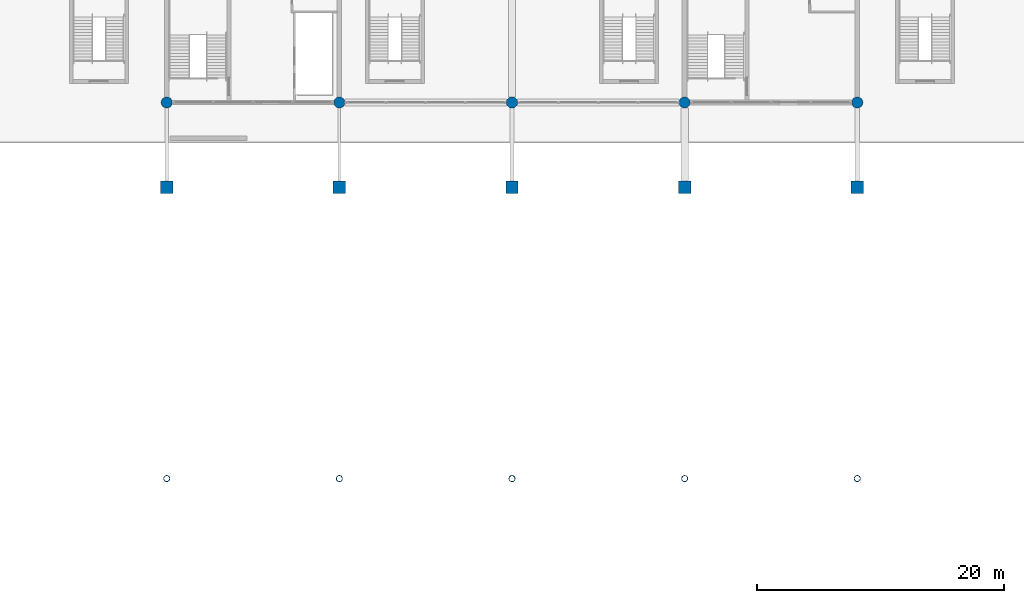
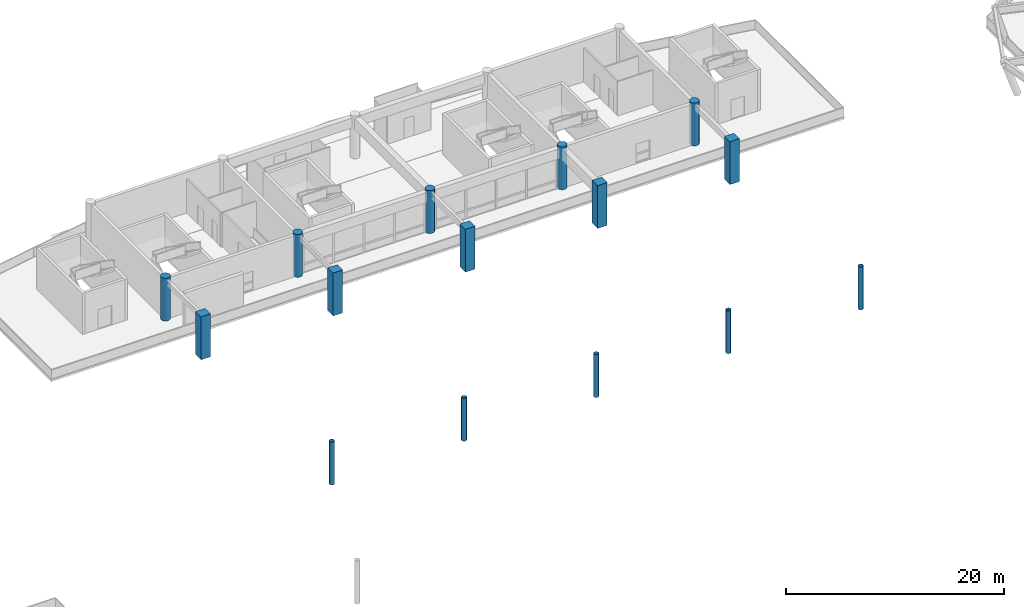
# One storey, part 15 of 91: 15 columns.
"""IFC4 building model written with IfcOpenShell, lengths in metres."""

import ifcopenshell
import ifcopenshell.guid

model = None  # the IFC model being written
_history = None  # IfcOwnerHistory: only IFC2X3 demands one
_inside = {}  # id of a spatial element -> (the spatial element, [elements in it])
_under = {}  # id of a project, library or spatial element -> (it, [spatial elements below it])
_declared = {}  # id of a project -> (the project, [libraries it declares])
_typed = {}  # id of a type object -> (the type object, [elements of that type])
_made_of = {}  # id of a material, layer set ... -> (it, [elements and type objects made of it])


def new_model(schema):
    """Start an empty IFC model of exactly this schema.

    Asked for "IFC4X3", IfcOpenShell would pick the latest addendum, in which some entities
    have other attributes; the version numbers below select the first issue.
    IFC2X3 requires an IfcOwnerHistory on every rooted entity: one is made here for all.
    """
    global model, _history
    if schema == "IFC4X3":
        model = ifcopenshell.file(schema_version=(4, 3, 0, 0))
    else:
        model = ifcopenshell.file(schema=schema)
    _inside.clear()
    _under.clear()
    _declared.clear()
    _typed.clear()
    _made_of.clear()
    _history = None
    if model.schema == "IFC2X3":
        org = make("IfcOrganization", Name="unknown")
        user = make(
            "IfcPersonAndOrganization",
            ThePerson=make("IfcPerson", FamilyName="unknown"),
            TheOrganization=org,
        )
        app = make(
            "IfcApplication",
            ApplicationDeveloper=org,
            Version="unknown",
            ApplicationFullName="unknown",
            ApplicationIdentifier="unknown",
        )
        _history = make(
            "IfcOwnerHistory",
            OwningUser=user,
            OwningApplication=app,
            ChangeAction="ADDED",
            CreationDate=0,
        )
    return model


def make(cls, **values):
    """One entity of the class cls with the attributes given. An attribute that is None is left unset."""
    return model.create_entity(
        cls, **{name: value for name, value in values.items() if value is not None}
    )


def rooted(cls, **values):
    """An entity with a GlobalId (a new one), such as an element, a storey or a relation."""
    return make(cls, GlobalId=ifcopenshell.guid.new(), OwnerHistory=_history, **values)


def si_unit(unit_type, name, prefix=None):
    """IfcSIUnit, for example si_unit("LENGTHUNIT", "METRE", prefix="MILLI")."""
    return make("IfcSIUnit", UnitType=unit_type, Prefix=prefix, Name=name)


def assignment(units):
    """IfcUnitAssignment: the units of a project."""
    return None if units is None else make("IfcUnitAssignment", Units=units)


def point(xyz):
    """IfcCartesianPoint."""
    return None if xyz is None else make("IfcCartesianPoint", Coordinates=xyz)


def direction(xyz):
    """IfcDirection."""
    return None if xyz is None else make("IfcDirection", DirectionRatios=xyz)


def frame(location, z_axis=None, x_axis=None):
    """IfcAxis2Placement3D, a coordinate frame: its origin and axes. An axis left out is left unset."""
    return make(
        "IfcAxis2Placement3D",
        Location=point(location),
        Axis=direction(z_axis),
        RefDirection=direction(x_axis),
    )


def frame_2d(location, x_axis=None):
    """IfcAxis2Placement2D, a coordinate frame in the plane: its origin and x axis."""
    return make(
        "IfcAxis2Placement2D", Location=point(location), RefDirection=direction(x_axis)
    )


def origin():
    """The frame at (0, 0, 0) with its axes left unset."""
    return frame((0.0, 0.0, 0.0))


def origin_2d():
    """The frame at (0, 0) in the plane with its x axis left unset."""
    return frame_2d((0.0, 0.0))


def place(relative_to, where):
    """IfcLocalPlacement: puts the frame where relative to a parent placement (None: the world)."""
    return make(
        "IfcLocalPlacement", PlacementRelTo=relative_to, RelativePlacement=where
    )


def context(
    kind, dimensions, precision=None, world=None, true_north=None, identifier=None
):
    """IfcGeometricRepresentationContext, for example the 3D "Model" context."""
    return make(
        "IfcGeometricRepresentationContext",
        ContextIdentifier=identifier,
        ContextType=kind,
        CoordinateSpaceDimension=dimensions,
        Precision=precision,
        WorldCoordinateSystem=world,
        TrueNorth=true_north,
    )


def subcontext(parent, identifier, kind, view, scale=None):
    """IfcGeometricRepresentationSubContext, for example "Body" below "Model"."""
    return make(
        "IfcGeometricRepresentationSubContext",
        ContextIdentifier=identifier,
        ContextType=kind,
        ParentContext=parent,
        TargetScale=scale,
        TargetView=view,
    )


def project(units=None, contexts=None):
    """IfcProject with its units and contexts."""
    return rooted(
        "IfcProject",
        Name="project",
        RepresentationContexts=contexts,
        UnitsInContext=assignment(units),
    )


def spatial(cls, under=None, at=None, **own):
    """A site, building, storey or space (cls), placed at a placement, below another one or the project."""
    s = rooted(cls, ObjectPlacement=at, **own)
    if under is not None:
        _under.setdefault(under.id(), (under, []))[1].append(s)
    return s


def profile(cls, at=None, kind="AREA", **sizes):
    """A parametric profile (cls). Its sizes go by their IFC names, for example OverallWidth=200.0."""
    return make(cls, ProfileType=kind, Position=at, **sizes)


def rectangle(**sizes):
    """IfcRectangleProfileDef."""
    return profile("IfcRectangleProfileDef", **sizes)


def circle(**sizes):
    """IfcCircleProfileDef."""
    return profile("IfcCircleProfileDef", **sizes)


def hollow_circle(**sizes):
    """IfcCircleHollowProfileDef."""
    return profile("IfcCircleHollowProfileDef", **sizes)


def extrude(swept, where, along, depth):
    """IfcExtrudedAreaSolid: the profile swept, set in the frame where, extruded along a direction by depth."""
    return make(
        "IfcExtrudedAreaSolid",
        SweptArea=swept,
        Position=where,
        ExtrudedDirection=direction(along),
        Depth=depth,
    )


def shape(context_of_items, identifier, shape_type, items):
    """IfcShapeRepresentation: the items that make up one representation, for example the "Body"."""
    return make(
        "IfcShapeRepresentation",
        ContextOfItems=context_of_items,
        RepresentationIdentifier=identifier,
        RepresentationType=shape_type,
        Items=items,
    )


def material(Name=None, Category=None):
    """IfcMaterial."""
    return make("IfcMaterial", Name=Name, Category=Category)


def material_profile(
    of_material, cross_section, Name=None, Category=None, Priority=None
):
    """IfcMaterialProfile: a cross section and its material."""
    return make(
        "IfcMaterialProfile",
        Name=Name,
        Material=of_material,
        Profile=cross_section,
        Priority=Priority,
        Category=Category,
    )


def profile_set(profiles, Name=None, composite=None):
    """IfcMaterialProfileSet."""
    return make(
        "IfcMaterialProfileSet",
        Name=Name,
        MaterialProfiles=profiles,
        CompositeProfile=composite,
    )


def made_of(thing, what):
    """Note that an element or type object is made of a material, layer set ...; save() writes the relation."""
    if what is not None:
        _made_of.setdefault(what.id(), (what, []))[1].append(thing)
    return thing


def type_object(cls, material=None, **own):
    """A type object (cls), such as IfcWallType, which elements share."""
    return made_of(rooted(cls, **own), material)


def element(
    cls,
    number,
    at=None,
    inside=None,
    cuts=None,
    type_object=None,
    material=None,
    context=None,
    identifier="Body",
    shape_type=None,
    held_by="IfcProductDefinitionShape",
    body=None,
    shapes=None,
    **own,
):
    """One element of the class cls, such as IfcWall. Its Tag is "e" and its number.

    at: its placement. inside: the storey or other place that contains it. cuts: it is an
    opening in that element (IfcRelVoidsElement). A single representation is given by context,
    identifier, shape_type and body (its items); several are given by shapes. held_by: the class
    of the entity that holds the representations. save() writes the other relations.
    """
    e = rooted(cls, Tag="e%d" % number, ObjectPlacement=at, **own)
    if body is not None:
        shapes = [shape(context, identifier, shape_type, body)]
    if shapes is not None:
        e.Representation = make(held_by, Representations=shapes)
    if inside is not None:
        _inside.setdefault(inside.id(), (inside, []))[1].append(e)
    if cuts is not None:
        rooted(
            "IfcRelVoidsElement", RelatingBuildingElement=cuts, RelatedOpeningElement=e
        )
    if type_object is not None:
        _typed.setdefault(type_object.id(), (type_object, []))[1].append(e)
    return made_of(e, material)


def aggregate(whole, parts):
    """IfcRelAggregates: a whole, such as a stair, and the parts it consists of."""
    return rooted("IfcRelAggregates", RelatingObject=whole, RelatedObjects=parts)


def save(model, path):
    """Write the relations noted so far, then the file.

    IfcRelAggregates (storeys below a building ...), IfcRelContainedInSpatialStructure (elements
    in a storey), IfcRelDefinesByType, IfcRelAssociatesMaterial and IfcRelDeclares: one each for
    every whole, place, type object, material and project.
    """
    for whole, parts in _under.values():
        aggregate(whole, parts)
    for where, things in _inside.values():
        rooted(
            "IfcRelContainedInSpatialStructure",
            RelatedElements=things,
            RelatingStructure=where,
        )
    for kind, things in _typed.values():
        rooted("IfcRelDefinesByType", RelatedObjects=things, RelatingType=kind)
    for what, things in _made_of.values():
        rooted("IfcRelAssociatesMaterial", RelatedObjects=things, RelatingMaterial=what)
    for by, libraries in _declared.values():
        rooted("IfcRelDeclares", RelatingContext=by, RelatedDefinitions=libraries)
    model.write(path)


model = new_model("IFC4")

# Units and contexts
model_context = context("Model", 3, precision=1e-05, world=origin(), true_north=direction((0.0, 1.0)))
body_context = subcontext(model_context, "Body", "Model", "MODEL_VIEW")
ifc_project = project(units=[si_unit("LENGTHUNIT", "METRE"), si_unit("AREAUNIT", "SQUARE_METRE"), si_unit("VOLUMEUNIT", "CUBIC_METRE"), si_unit("PLANEANGLEUNIT", "RADIAN"), si_unit("MASSUNIT", "GRAM", prefix="KILO")], contexts=[model_context])

# Site, building, storey
site_placement = place(None, origin())
site = spatial("IfcSite", under=ifc_project, at=site_placement, CompositionType="ELEMENT")
building_placement = place(site_placement, origin())
building = spatial("IfcBuilding", under=site, at=building_placement, Name="Linyun Crest Stadium", CompositionType="ELEMENT")
storey_placement = place(building_placement, frame((0.0, 0.0, 11.39990234375)))
storey = spatial("IfcBuildingStorey", under=building, at=storey_placement, Name="L03", CompositionType="ELEMENT", Elevation=11.39990234375)

# Columns
ifc_material_1 = material(Name="Concrete C50", Category="concrete")
ifc_material_profile_1 = material_profile(ifc_material_1, rectangle(XDim=1.0, YDim=1.0, at=origin_2d()), Name="RC 1000x1000")
ifc_profile_set_1 = profile_set([ifc_material_profile_1], Name="Concrete C50")
column_type_1 = type_object("IfcColumnType", Name="C05", PredefinedType="COLUMN", material=ifc_profile_set_1)
for number, where, z_axis, x_axis, name in (
    (1, (-28.0, 84.625, 0.0), (0.0, 0.0, 1.0), (1.0, 0.0, 0.0), "Column C05 L03 575"),
    (2, (-14.0, 84.625, 0.0), (0.0, 0.0, 1.0), (1.0, 0.0, 0.0), "Column C05 L03 596"),
    (3, (0.0, 84.625, 0.0), (0.0, 0.0, 1.0), (1.0, 0.0, 0.0), "Column C05 L03 617"),
    (4, (14.0, 84.625, 0.0), (0.0, 0.0, 1.0), (1.0, 0.0, 0.0), "Column C05 L03 638"),
    (5, (28.0, 84.625, 0.0), (0.0, 0.0, 1.0), (1.0, 0.0, 0.0), "Column C05 L03 659"),
):
    element("IfcColumn", number, at=place(storey_placement, frame(where, z_axis=z_axis, x_axis=x_axis)), inside=storey, type_object=column_type_1, Name=name, PredefinedType="COLUMN", context=body_context, shape_type="SweptSolid", body=[
        extrude(rectangle(XDim=1.0, YDim=1.0, at=origin_2d()), origin(), (0.0, 0.0, 1.0), 4.798095703125),
    ])
ifc_material_2 = material(Name="Concrete C50", Category="concrete")
ifc_material_profile_2 = material_profile(ifc_material_2, circle(Radius=0.449951171875, at=origin_2d()), Name="RC D900")
ifc_profile_set_2 = profile_set([ifc_material_profile_2], Name="Concrete C50")
column_type_2 = type_object("IfcColumnType", Name="C08", PredefinedType="COLUMN", material=ifc_profile_set_2)
for number, where, z_axis, x_axis, name in (
    (6, (-28.0, 91.5, 0.0), (0.0, 0.0, 1.0), (1.0, 0.0, 0.0), "Column C08 L03 581"),
    (7, (-14.0, 91.5, 0.0), (0.0, 0.0, 1.0), (1.0, 0.0, 0.0), "Column C08 L03 602"),
    (8, (0.0, 91.5, 0.0), (0.0, 0.0, 1.0), (1.0, 0.0, 0.0), "Column C08 L03 623"),
    (9, (14.0, 91.5, 0.0), (0.0, 0.0, 1.0), (1.0, 0.0, 0.0), "Column C08 L03 644"),
    (10, (28.0, 91.5, 0.0), (0.0, 0.0, 1.0), (1.0, 0.0, 0.0), "Column C08 L03 665"),
):
    element("IfcColumn", number, at=place(storey_placement, frame(where, z_axis=z_axis, x_axis=x_axis)), inside=storey, type_object=column_type_2, Name=name, PredefinedType="COLUMN", context=body_context, shape_type="SweptSolid", body=[
        extrude(circle(Radius=0.449951171875, at=origin_2d()), origin(), (0.0, 0.0, 1.0), 4.798095703125),
    ])
ifc_material_3 = material(Name="Steel Q355C", Category="steel")
ifc_material_profile_3 = material_profile(ifc_material_3, hollow_circle(Radius=0.25390625, WallThickness=0.02490234375, at=origin_2d()), Name="CHS 508x25")
ifc_profile_set_3 = profile_set([ifc_material_profile_3], Name="Steel Q355C")
column_type_3 = type_object("IfcColumnType", Name="SC05", PredefinedType="COLUMN", material=ifc_profile_set_3)
for number, where, z_axis, x_axis, name in (
    (11, (-28.0, 61.0, 0.0), (0.0, 0.0, 1.0), (1.0, 0.0, 0.0), "Arch colonnade column SC05 L03 34"),
    (12, (-14.0, 61.0, 0.0), (0.0, 0.0, 1.0), (1.0, 0.0, 0.0), "Arch colonnade column SC05 L03 36"),
    (13, (0.0, 61.0, 0.0), (0.0, 0.0, 1.0), (1.0, 0.0, 0.0), "Arch colonnade column SC05 L03 38"),
    (14, (14.0, 61.0, 0.0), (0.0, 0.0, 1.0), (1.0, 0.0, 0.0), "Arch colonnade column SC05 L03 40"),
    (15, (28.0, 61.0, 0.0), (0.0, 0.0, 1.0), (1.0, 0.0, 0.0), "Arch colonnade column SC05 L03 42"),
):
    element("IfcColumn", number, at=place(storey_placement, frame(where, z_axis=z_axis, x_axis=x_axis)), inside=storey, type_object=column_type_3, Name=name, PredefinedType="COLUMN", context=body_context, shape_type="SweptSolid", body=[
        extrude(hollow_circle(Radius=0.25390625, WallThickness=0.02490234375, at=origin_2d()), origin(), (0.0, 0.0, 1.0), 4.800048828125),
    ])

save(model, "model.ifc")
